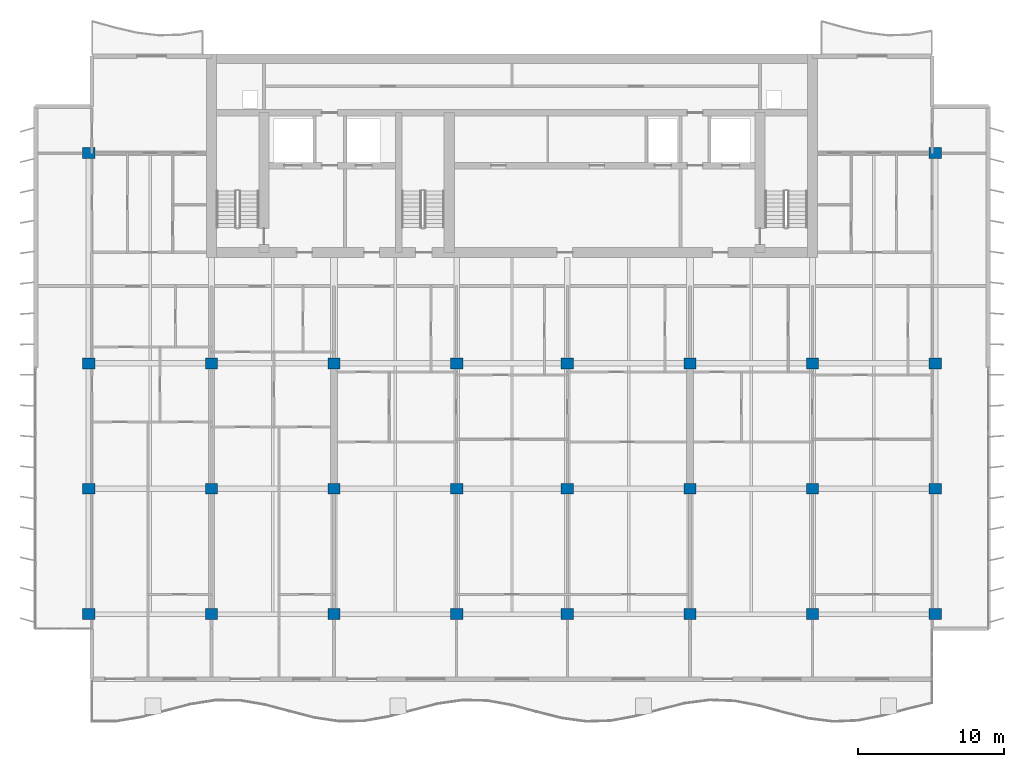
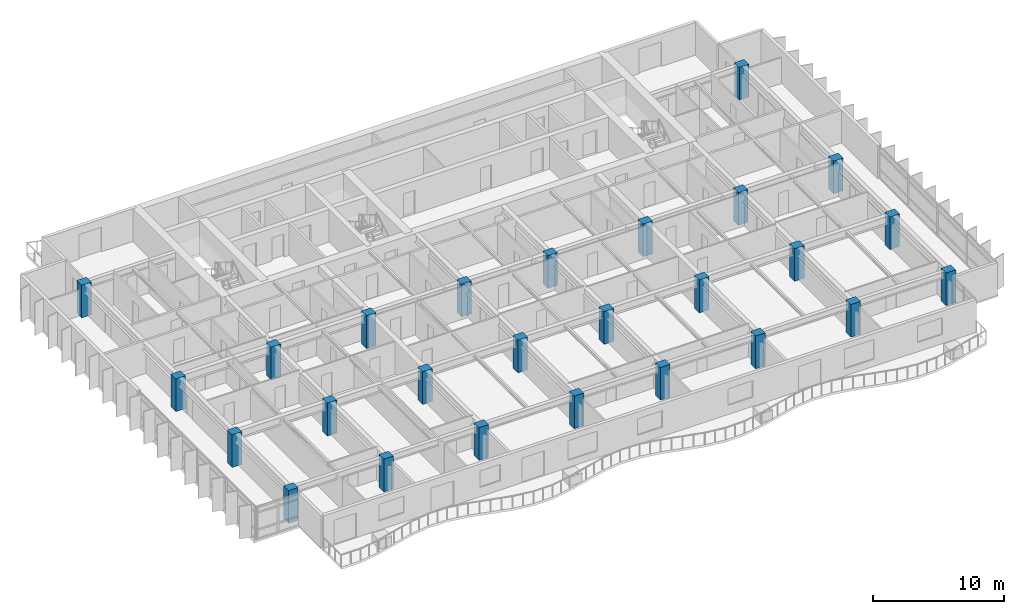
# One storey, part 1 of 16: 26 columns.
"""IFC4 building model written with IfcOpenShell, lengths in metres."""

import ifcopenshell
import ifcopenshell.guid

model = None  # the IFC model being written
_history = None  # IfcOwnerHistory: only IFC2X3 demands one
_inside = {}  # id of a spatial element -> (the spatial element, [elements in it])
_under = {}  # id of a project, library or spatial element -> (it, [spatial elements below it])
_declared = {}  # id of a project -> (the project, [libraries it declares])
_typed = {}  # id of a type object -> (the type object, [elements of that type])
_made_of = {}  # id of a material, layer set ... -> (it, [elements and type objects made of it])


def new_model(schema):
    """Start an empty IFC model of exactly this schema.

    Asked for "IFC4X3", IfcOpenShell would pick the latest addendum, in which some entities
    have other attributes; the version numbers below select the first issue.
    IFC2X3 requires an IfcOwnerHistory on every rooted entity: one is made here for all.
    """
    global model, _history
    if schema == "IFC4X3":
        model = ifcopenshell.file(schema_version=(4, 3, 0, 0))
    else:
        model = ifcopenshell.file(schema=schema)
    _inside.clear()
    _under.clear()
    _declared.clear()
    _typed.clear()
    _made_of.clear()
    _history = None
    if model.schema == "IFC2X3":
        org = make("IfcOrganization", Name="unknown")
        user = make(
            "IfcPersonAndOrganization",
            ThePerson=make("IfcPerson", FamilyName="unknown"),
            TheOrganization=org,
        )
        app = make(
            "IfcApplication",
            ApplicationDeveloper=org,
            Version="unknown",
            ApplicationFullName="unknown",
            ApplicationIdentifier="unknown",
        )
        _history = make(
            "IfcOwnerHistory",
            OwningUser=user,
            OwningApplication=app,
            ChangeAction="ADDED",
            CreationDate=0,
        )
    return model


def make(cls, **values):
    """One entity of the class cls with the attributes given. An attribute that is None is left unset."""
    return model.create_entity(
        cls, **{name: value for name, value in values.items() if value is not None}
    )


def rooted(cls, **values):
    """An entity with a GlobalId (a new one), such as an element, a storey or a relation."""
    return make(cls, GlobalId=ifcopenshell.guid.new(), OwnerHistory=_history, **values)


def si_unit(unit_type, name, prefix=None):
    """IfcSIUnit, for example si_unit("LENGTHUNIT", "METRE", prefix="MILLI")."""
    return make("IfcSIUnit", UnitType=unit_type, Prefix=prefix, Name=name)


def assignment(units):
    """IfcUnitAssignment: the units of a project."""
    return None if units is None else make("IfcUnitAssignment", Units=units)


def point(xyz):
    """IfcCartesianPoint."""
    return None if xyz is None else make("IfcCartesianPoint", Coordinates=xyz)


def direction(xyz):
    """IfcDirection."""
    return None if xyz is None else make("IfcDirection", DirectionRatios=xyz)


def frame(location, z_axis=None, x_axis=None):
    """IfcAxis2Placement3D, a coordinate frame: its origin and axes. An axis left out is left unset."""
    return make(
        "IfcAxis2Placement3D",
        Location=point(location),
        Axis=direction(z_axis),
        RefDirection=direction(x_axis),
    )


def frame_2d(location, x_axis=None):
    """IfcAxis2Placement2D, a coordinate frame in the plane: its origin and x axis."""
    return make(
        "IfcAxis2Placement2D", Location=point(location), RefDirection=direction(x_axis)
    )


def origin():
    """The frame at (0, 0, 0) with its axes left unset."""
    return frame((0.0, 0.0, 0.0))


def origin_2d():
    """The frame at (0, 0) in the plane with its x axis left unset."""
    return frame_2d((0.0, 0.0))


def place(relative_to, where):
    """IfcLocalPlacement: puts the frame where relative to a parent placement (None: the world)."""
    return make(
        "IfcLocalPlacement", PlacementRelTo=relative_to, RelativePlacement=where
    )


def context(
    kind, dimensions, precision=None, world=None, true_north=None, identifier=None
):
    """IfcGeometricRepresentationContext, for example the 3D "Model" context."""
    return make(
        "IfcGeometricRepresentationContext",
        ContextIdentifier=identifier,
        ContextType=kind,
        CoordinateSpaceDimension=dimensions,
        Precision=precision,
        WorldCoordinateSystem=world,
        TrueNorth=true_north,
    )


def subcontext(parent, identifier, kind, view, scale=None):
    """IfcGeometricRepresentationSubContext, for example "Body" below "Model"."""
    return make(
        "IfcGeometricRepresentationSubContext",
        ContextIdentifier=identifier,
        ContextType=kind,
        ParentContext=parent,
        TargetScale=scale,
        TargetView=view,
    )


def project(units=None, contexts=None):
    """IfcProject with its units and contexts."""
    return rooted(
        "IfcProject",
        Name="project",
        RepresentationContexts=contexts,
        UnitsInContext=assignment(units),
    )


def spatial(cls, under=None, at=None, **own):
    """A site, building, storey or space (cls), placed at a placement, below another one or the project."""
    s = rooted(cls, ObjectPlacement=at, **own)
    if under is not None:
        _under.setdefault(under.id(), (under, []))[1].append(s)
    return s


def profile(cls, at=None, kind="AREA", **sizes):
    """A parametric profile (cls). Its sizes go by their IFC names, for example OverallWidth=200.0."""
    return make(cls, ProfileType=kind, Position=at, **sizes)


def rectangle(**sizes):
    """IfcRectangleProfileDef."""
    return profile("IfcRectangleProfileDef", **sizes)


def extrude(swept, where, along, depth):
    """IfcExtrudedAreaSolid: the profile swept, set in the frame where, extruded along a direction by depth."""
    return make(
        "IfcExtrudedAreaSolid",
        SweptArea=swept,
        Position=where,
        ExtrudedDirection=direction(along),
        Depth=depth,
    )


def shape(context_of_items, identifier, shape_type, items):
    """IfcShapeRepresentation: the items that make up one representation, for example the "Body"."""
    return make(
        "IfcShapeRepresentation",
        ContextOfItems=context_of_items,
        RepresentationIdentifier=identifier,
        RepresentationType=shape_type,
        Items=items,
    )


def material(Name=None, Category=None):
    """IfcMaterial."""
    return make("IfcMaterial", Name=Name, Category=Category)


def material_profile(
    of_material, cross_section, Name=None, Category=None, Priority=None
):
    """IfcMaterialProfile: a cross section and its material."""
    return make(
        "IfcMaterialProfile",
        Name=Name,
        Material=of_material,
        Profile=cross_section,
        Priority=Priority,
        Category=Category,
    )


def profile_set(profiles, Name=None, composite=None):
    """IfcMaterialProfileSet."""
    return make(
        "IfcMaterialProfileSet",
        Name=Name,
        MaterialProfiles=profiles,
        CompositeProfile=composite,
    )


def made_of(thing, what):
    """Note that an element or type object is made of a material, layer set ...; save() writes the relation."""
    if what is not None:
        _made_of.setdefault(what.id(), (what, []))[1].append(thing)
    return thing


def type_object(cls, material=None, **own):
    """A type object (cls), such as IfcWallType, which elements share."""
    return made_of(rooted(cls, **own), material)


def element(
    cls,
    number,
    at=None,
    inside=None,
    cuts=None,
    type_object=None,
    material=None,
    context=None,
    identifier="Body",
    shape_type=None,
    held_by="IfcProductDefinitionShape",
    body=None,
    shapes=None,
    **own,
):
    """One element of the class cls, such as IfcWall. Its Tag is "e" and its number.

    at: its placement. inside: the storey or other place that contains it. cuts: it is an
    opening in that element (IfcRelVoidsElement). A single representation is given by context,
    identifier, shape_type and body (its items); several are given by shapes. held_by: the class
    of the entity that holds the representations. save() writes the other relations.
    """
    e = rooted(cls, Tag="e%d" % number, ObjectPlacement=at, **own)
    if body is not None:
        shapes = [shape(context, identifier, shape_type, body)]
    if shapes is not None:
        e.Representation = make(held_by, Representations=shapes)
    if inside is not None:
        _inside.setdefault(inside.id(), (inside, []))[1].append(e)
    if cuts is not None:
        rooted(
            "IfcRelVoidsElement", RelatingBuildingElement=cuts, RelatedOpeningElement=e
        )
    if type_object is not None:
        _typed.setdefault(type_object.id(), (type_object, []))[1].append(e)
    return made_of(e, material)


def aggregate(whole, parts):
    """IfcRelAggregates: a whole, such as a stair, and the parts it consists of."""
    return rooted("IfcRelAggregates", RelatingObject=whole, RelatedObjects=parts)


def save(model, path):
    """Write the relations noted so far, then the file.

    IfcRelAggregates (storeys below a building ...), IfcRelContainedInSpatialStructure (elements
    in a storey), IfcRelDefinesByType, IfcRelAssociatesMaterial and IfcRelDeclares: one each for
    every whole, place, type object, material and project.
    """
    for whole, parts in _under.values():
        aggregate(whole, parts)
    for where, things in _inside.values():
        rooted(
            "IfcRelContainedInSpatialStructure",
            RelatedElements=things,
            RelatingStructure=where,
        )
    for kind, things in _typed.values():
        rooted("IfcRelDefinesByType", RelatedObjects=things, RelatingType=kind)
    for what, things in _made_of.values():
        rooted("IfcRelAssociatesMaterial", RelatedObjects=things, RelatingMaterial=what)
    for by, libraries in _declared.values():
        rooted("IfcRelDeclares", RelatingContext=by, RelatedDefinitions=libraries)
    model.write(path)


model = new_model("IFC4")

# Units and contexts
model_context = context("Model", 3, precision=1e-05, world=origin(), true_north=direction((0.0, 1.0)))
body_context = subcontext(model_context, "Body", "Model", "MODEL_VIEW")
ifc_project = project(units=[si_unit("LENGTHUNIT", "METRE"), si_unit("AREAUNIT", "SQUARE_METRE"), si_unit("VOLUMEUNIT", "CUBIC_METRE"), si_unit("PLANEANGLEUNIT", "RADIAN"), si_unit("MASSUNIT", "GRAM", prefix="KILO")], contexts=[model_context])

# Site, building, storey
site_placement = place(None, origin())
site = spatial("IfcSite", under=ifc_project, at=site_placement, CompositionType="ELEMENT")
building_placement = place(site_placement, origin())
building = spatial("IfcBuilding", under=site, at=building_placement, Name="Caelmar Bay Residences", CompositionType="ELEMENT")
storey_placement = place(building_placement, frame((0.0, 0.0, 198.300048828125)))
storey = spatial("IfcBuildingStorey", under=building, at=storey_placement, Name="L55", CompositionType="ELEMENT", Elevation=198.300048828125)

# Columns
ifc_material = material(Name="Concrete f'c 55 MPa (8,000 psi)", Category="concrete")
ifc_material_profile = material_profile(ifc_material, rectangle(XDim=0.85009765625, YDim=0.75, at=origin_2d()), Name="RC-COL-850X750")
ifc_profile_set = profile_set([ifc_material_profile], Name="Concrete f'c 55 MPa (8,000 psi)")
column_type = type_object("IfcColumnType", Name="COL-RC-850X750", PredefinedType="COLUMN", material=ifc_profile_set)
for number, where, z_axis, x_axis, name in (
    (1, (9.89990234375, 12.199951171875, 0.0), (0.0, 0.0, 1.0), (1.0, 0.0, 0.0), "L55 Column (9.90,12.20)"),
    (2, (18.300048828125, 12.199951171875, 0.0), (0.0, 0.0, 1.0), (1.0, 0.0, 0.0), "L55 Column (18.30,12.20)"),
    (3, (26.699951171875, 12.199951171875, 0.0), (0.0, 0.0, 1.0), (1.0, 0.0, 0.0), "L55 Column (26.70,12.20)"),
    (4, (35.10009765625, 12.199951171875, 0.0), (0.0, 0.0, 1.0), (1.0, 0.0, 0.0), "L55 Column (35.10,12.20)"),
    (5, (42.699951171875, 12.199951171875, 0.0), (0.0, 0.0, 1.0), (1.0, 0.0, 0.0), "L55 Column (42.70,12.20)"),
    (6, (51.10009765625, 12.199951171875, 0.0), (0.0, 0.0, 1.0), (1.0, 0.0, 0.0), "L55 Column (51.10,12.20)"),
    (7, (59.5, 12.199951171875, 0.0), (0.0, 0.0, 1.0), (1.0, 0.0, 0.0), "L55 Column (59.50,12.20)"),
    (8, (67.89990234375, 12.199951171875, 0.0), (0.0, 0.0, 1.0), (1.0, 0.0, 0.0), "L55 Column (67.90,12.20)"),
    (9, (9.89990234375, 20.800048828125, 0.0), (0.0, 0.0, 1.0), (1.0, 0.0, 0.0), "L55 Column (9.90,20.80)"),
    (10, (18.300048828125, 20.800048828125, 0.0), (0.0, 0.0, 1.0), (1.0, 0.0, 0.0), "L55 Column (18.30,20.80)"),
    (11, (26.699951171875, 20.800048828125, 0.0), (0.0, 0.0, 1.0), (1.0, 0.0, 0.0), "L55 Column (26.70,20.80)"),
    (12, (35.10009765625, 20.800048828125, 0.0), (0.0, 0.0, 1.0), (1.0, 0.0, 0.0), "L55 Column (35.10,20.80)"),
    (13, (42.699951171875, 20.800048828125, 0.0), (0.0, 0.0, 1.0), (1.0, 0.0, 0.0), "L55 Column (42.70,20.80)"),
    (14, (51.10009765625, 20.800048828125, 0.0), (0.0, 0.0, 1.0), (1.0, 0.0, 0.0), "L55 Column (51.10,20.80)"),
    (15, (59.5, 20.800048828125, 0.0), (0.0, 0.0, 1.0), (1.0, 0.0, 0.0), "L55 Column (59.50,20.80)"),
    (16, (67.89990234375, 20.800048828125, 0.0), (0.0, 0.0, 1.0), (1.0, 0.0, 0.0), "L55 Column (67.90,20.80)"),
    (17, (9.89990234375, 29.39990234375, 0.0), (0.0, 0.0, 1.0), (1.0, 0.0, 0.0), "L55 Column (9.90,29.40)"),
    (18, (18.300048828125, 29.39990234375, 0.0), (0.0, 0.0, 1.0), (1.0, 0.0, 0.0), "L55 Column (18.30,29.40)"),
    (19, (26.699951171875, 29.39990234375, 0.0), (0.0, 0.0, 1.0), (1.0, 0.0, 0.0), "L55 Column (26.70,29.40)"),
    (20, (35.10009765625, 29.39990234375, 0.0), (0.0, 0.0, 1.0), (1.0, 0.0, 0.0), "L55 Column (35.10,29.40)"),
    (21, (42.699951171875, 29.39990234375, 0.0), (0.0, 0.0, 1.0), (1.0, 0.0, 0.0), "L55 Column (42.70,29.40)"),
    (22, (51.10009765625, 29.39990234375, 0.0), (0.0, 0.0, 1.0), (1.0, 0.0, 0.0), "L55 Column (51.10,29.40)"),
    (23, (59.5, 29.39990234375, 0.0), (0.0, 0.0, 1.0), (1.0, 0.0, 0.0), "L55 Column (59.50,29.40)"),
    (24, (67.89990234375, 29.39990234375, 0.0), (0.0, 0.0, 1.0), (1.0, 0.0, 0.0), "L55 Column (67.90,29.40)"),
    (25, (9.89990234375, 43.800048828125, 0.0), (0.0, 0.0, 1.0), (1.0, 0.0, 0.0), "L55 Column (9.90,43.80)"),
    (26, (67.89990234375, 43.800048828125, 0.0), (0.0, 0.0, 1.0), (1.0, 0.0, 0.0), "L55 Column (67.90,43.80)"),
):
    element("IfcColumn", number, at=place(storey_placement, frame(where, z_axis=z_axis, x_axis=x_axis)), inside=storey, type_object=column_type, Name=name, PredefinedType="COLUMN", context=body_context, shape_type="SweptSolid", body=[
        extrude(rectangle(XDim=0.85009765625, YDim=0.75, at=origin_2d()), origin(), (0.0, 0.0, 1.0), 3.050048828125),
    ])

save(model, "model.ifc")
